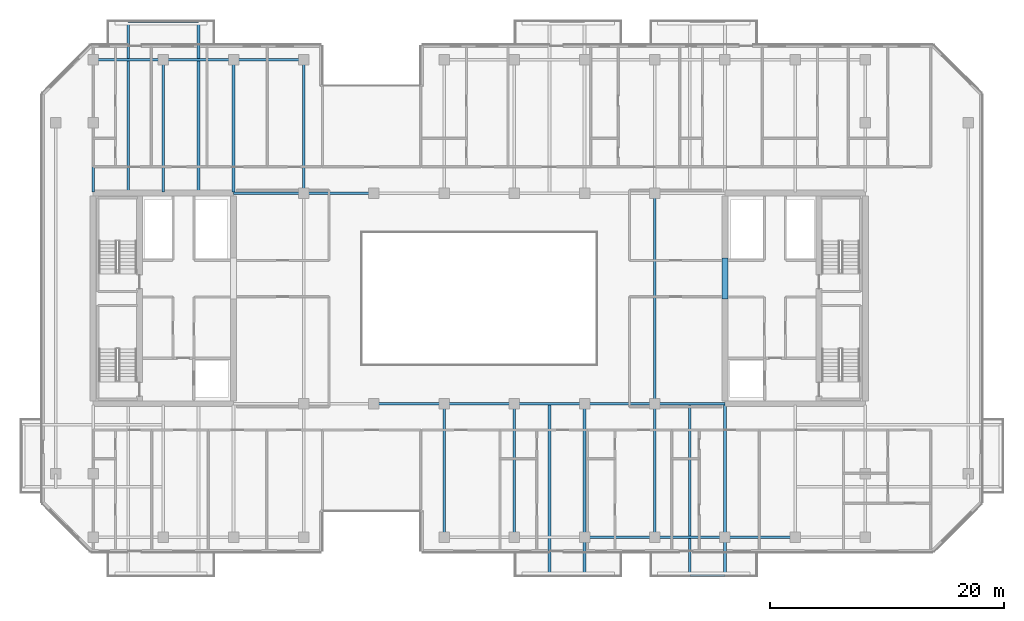
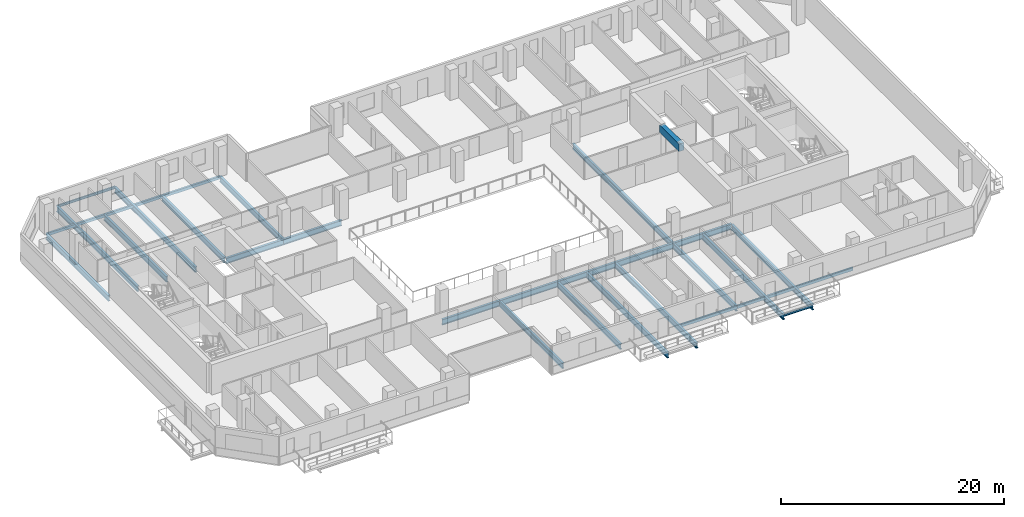
# One storey, part 5 of 19: 30 beams.
"""IFC4 building model written with IfcOpenShell, lengths in metres."""

from ifc_helpers import new_model, si_unit, direction, frame, origin, origin_2d, place, context, subcontext, project, spatial, rectangle, hollow_rectangle, i_section, extrude, material, material_profile, profile_set, type_object, element, save


model = new_model("IFC4")

# Units and contexts
model_context = context("Model", 3, precision=1e-05, world=origin(), true_north=direction((0.0, 1.0)))
body_context = subcontext(model_context, "Body", "Model", "MODEL_VIEW")
ifc_project = project(units=[si_unit("LENGTHUNIT", "METRE"), si_unit("AREAUNIT", "SQUARE_METRE"), si_unit("VOLUMEUNIT", "CUBIC_METRE"), si_unit("PLANEANGLEUNIT", "RADIAN"), si_unit("MASSUNIT", "GRAM", prefix="KILO")], contexts=[model_context])

# Site, building, storey
site_placement = place(None, origin())
site = spatial("IfcSite", under=ifc_project, at=site_placement, CompositionType="ELEMENT")
building_placement = place(site_placement, origin())
building = spatial("IfcBuilding", under=site, at=building_placement, Name="Tanjung Sevakor Pilgrim Tower", CompositionType="ELEMENT")
storey_placement = place(building_placement, frame((0.0, 0.0, 132.0)))
storey = spatial("IfcBuildingStorey", under=building, at=storey_placement, Name="L36", CompositionType="ELEMENT", Elevation=132.0)

# Beams
ifc_material_1 = material(Name="Steel S355J2", Category="steel")
ifc_material_profile_1 = material_profile(ifc_material_1, i_section(OverallWidth=0.230224609375, OverallDepth=0.6171875, WebThickness=0.01318359375, FlangeThickness=0.022216796875, FilletRadius=0.0126953125, at=origin_2d()))
ifc_profile_set_1 = profile_set([ifc_material_profile_1], Name="Steel S355J2")
beam_type_1 = type_object("IfcBeamType", Name="BM-B-G3-UB_610x229x140", PredefinedType="BEAM", material=ifc_profile_set_1)
for number, where, z_axis, x_axis, name in (
    (1, (48.0, 24.60009765625, -0.528564453125), (1.0, 0.0, 0.0), (0.0, 1.0, 0.0), "L36 Primary Floor Girder MAIN Y246-03"),
    (2, (54.0, 24.60009765625, -0.528564453125), (1.0, 0.0, 0.0), (0.0, 1.0, 0.0), "L36 Primary Floor Girder MAIN Y246-04"),
    (3, (60.0, 24.60009765625, -0.528564453125), (1.0, 0.0, 0.0), (0.0, 1.0, 0.0), "L36 Primary Floor Girder MAIN Y246-05"),
    (4, (66.0, 24.60009765625, -0.528564453125), (1.0, 0.0, 0.0), (0.0, 1.0, 0.0), "L36 Primary Floor Girder MAIN Y246-06"),
    (5, (72.0, 24.60009765625, -0.528564453125), (1.0, 0.0, 0.0), (0.0, 1.0, 0.0), "L36 Primary Floor Girder MAIN Y246-07"),
    (6, (36.0, 42.60009765625, -0.528564453125), (1.0, 0.0, 0.0), (0.0, 1.0, 0.0), "L36 Primary Floor Girder MAIN Y426-01"),
    (7, (42.0, 42.60009765625, -0.528564453125), (1.0, 0.0, 0.0), (0.0, 1.0, 0.0), "L36 Primary Floor Girder MAIN Y426-02"),
):
    element("IfcBeam", number, at=place(storey_placement, frame(where, z_axis=z_axis, x_axis=x_axis)), inside=storey, type_object=beam_type_1, Name=name, PredefinedType="BEAM", context=body_context, shape_type="SweptSolid", body=[
        extrude(i_section(OverallWidth=0.230224609375, OverallDepth=0.6171875, WebThickness=0.01318359375, FlangeThickness=0.022216796875, FilletRadius=0.0126953125, at=origin_2d()), origin(), (0.0, 0.0, 1.0), 6.0),
    ])
ifc_material_2 = material(Name="Steel S355J2", Category="steel")
ifc_material_profile_2 = material_profile(ifc_material_2, i_section(OverallWidth=0.22900390625, OverallDepth=0.6123046875, WebThickness=0.011962890625, FlangeThickness=0.01953125, FilletRadius=0.0126953125, at=origin_2d()))
ifc_profile_set_2 = profile_set([ifc_material_profile_2], Name="Steel S355J2")
beam_type_2 = type_object("IfcBeamType", Name="BM-B-G4-UB_610x229x125", PredefinedType="BEAM", material=ifc_profile_set_2)
beam_1_placement = place(storey_placement, frame((24.0, 42.715087890625, -0.526123046875), z_axis=(0.0, 1.0, 0.0), x_axis=(-1.0, 0.0, 0.0)))
element("IfcBeam", 8, at=beam_1_placement, inside=storey, type_object=beam_type_2, Name="L36 MAIN Girder 002", PredefinedType="BEAM", context=body_context, shape_type="SweptSolid", body=[
    extrude(i_section(OverallWidth=0.22900390625, OverallDepth=0.6123046875, WebThickness=0.011962890625, FlangeThickness=0.01953125, FilletRadius=0.0126953125, at=origin_2d()), origin(), (0.0, 0.0, 1.0), 11.284912109375),
])
beam_2_placement = place(storey_placement, frame((27.0, 42.715087890625, -0.526123046875), z_axis=(0.0, 1.0, 0.0), x_axis=(-1.0, 0.0, 0.0)))
element("IfcBeam", 9, at=beam_2_placement, inside=storey, type_object=beam_type_2, Name="L36 Balcony Cantilever Beam MAIN-N1-1", PredefinedType="BEAM", context=body_context, shape_type="SweptSolid", body=[
    extrude(i_section(OverallWidth=0.22900390625, OverallDepth=0.6123046875, WebThickness=0.011962890625, FlangeThickness=0.01953125, FilletRadius=0.0126953125, at=origin_2d()), origin(), (0.0, 0.0, 1.0), 14.56494140625),
])
beam_3_placement = place(storey_placement, frame((30.0, 42.715087890625, -0.526123046875), z_axis=(0.0, 1.0, 0.0), x_axis=(-1.0, 0.0, 0.0)))
element("IfcBeam", 10, at=beam_3_placement, inside=storey, type_object=beam_type_2, Name="L36 MAIN Girder 004", PredefinedType="BEAM", context=body_context, shape_type="SweptSolid", body=[
    extrude(i_section(OverallWidth=0.22900390625, OverallDepth=0.6123046875, WebThickness=0.011962890625, FlangeThickness=0.01953125, FilletRadius=0.0126953125, at=origin_2d()), origin(), (0.0, 0.0, 1.0), 11.284912109375),
])
beam_4_placement = place(storey_placement, frame((33.0, 42.715087890625, -0.526123046875), z_axis=(0.0, 1.0, 0.0), x_axis=(-1.0, 0.0, 0.0)))
element("IfcBeam", 11, at=beam_4_placement, inside=storey, type_object=beam_type_2, Name="L36 Balcony Cantilever Beam MAIN-N1-2", PredefinedType="BEAM", context=body_context, shape_type="SweptSolid", body=[
    extrude(i_section(OverallWidth=0.22900390625, OverallDepth=0.6123046875, WebThickness=0.011962890625, FlangeThickness=0.01953125, FilletRadius=0.0126953125, at=origin_2d()), origin(), (0.0, 0.0, 1.0), 14.56494140625),
])
beam_5_placement = place(storey_placement, frame((36.0, 42.715087890625, -0.526123046875), z_axis=(0.0, 1.0, 0.0), x_axis=(-1.0, 0.0, 0.0)))
element("IfcBeam", 12, at=beam_5_placement, inside=storey, type_object=beam_type_2, Name="L36 MAIN Girder 006", PredefinedType="BEAM", context=body_context, shape_type="SweptSolid", body=[
    extrude(i_section(OverallWidth=0.22900390625, OverallDepth=0.6123046875, WebThickness=0.011962890625, FlangeThickness=0.01953125, FilletRadius=0.0126953125, at=origin_2d()), origin(), (0.0, 0.0, 1.0), 11.284912109375),
])
beam_6_placement = place(storey_placement, frame((42.0, 42.60009765625, -0.526123046875), z_axis=(0.0, 1.0, 0.0), x_axis=(-1.0, 0.0, 0.0)))
element("IfcBeam", 13, at=beam_6_placement, inside=storey, type_object=beam_type_2, Name="L36 MAIN Girder 009", PredefinedType="BEAM", context=body_context, shape_type="SweptSolid", body=[
    extrude(i_section(OverallWidth=0.22900390625, OverallDepth=0.6123046875, WebThickness=0.011962890625, FlangeThickness=0.01953125, FilletRadius=0.0126953125, at=origin_2d()), origin(), (0.0, 0.0, 1.0), 11.39990234375),
])
for number, where, z_axis, x_axis, name in (
    (14, (54.0, 13.199951171875, -0.526123046875), (0.0, 1.0, 0.0), (-1.0, 0.0, 0.0), "L36 MAIN Girder 010"),
    (15, (60.0, 13.199951171875, -0.526123046875), (0.0, 1.0, 0.0), (-1.0, 0.0, 0.0), "L36 MAIN Girder 012"),
):
    element("IfcBeam", number, at=place(storey_placement, frame(where, z_axis=z_axis, x_axis=x_axis)), inside=storey, type_object=beam_type_2, Name=name, PredefinedType="BEAM", context=body_context, shape_type="SweptSolid", body=[
        extrude(i_section(OverallWidth=0.22900390625, OverallDepth=0.6123046875, WebThickness=0.011962890625, FlangeThickness=0.01953125, FilletRadius=0.0126953125, at=origin_2d()), origin(), (0.0, 0.0, 1.0), 11.400146484375),
    ])
beam_7_placement = place(storey_placement, frame((63.0, 24.48486328125, -0.526123046875), z_axis=(0.0, -1.0, 0.0), x_axis=(1.0, 0.0, 0.0)))
element("IfcBeam", 16, at=beam_7_placement, inside=storey, type_object=beam_type_2, Name="L36 Balcony Cantilever Beam MAIN-S2-1", PredefinedType="BEAM", context=body_context, shape_type="SweptSolid", body=[
    extrude(i_section(OverallWidth=0.22900390625, OverallDepth=0.6123046875, WebThickness=0.011962890625, FlangeThickness=0.01953125, FilletRadius=0.0126953125, at=origin_2d()), origin(), (0.0, 0.0, 1.0), 14.56494140625),
])
beam_8_placement = place(storey_placement, frame((66.0, 24.60009765625, -0.526123046875), z_axis=(0.0, -1.0, 0.0), x_axis=(1.0, 0.0, 0.0)))
element("IfcBeam", 17, at=beam_8_placement, inside=storey, type_object=beam_type_2, Name="L36 Balcony Cantilever Beam MAIN-S2-2", PredefinedType="BEAM", context=body_context, shape_type="SweptSolid", body=[
    extrude(i_section(OverallWidth=0.22900390625, OverallDepth=0.6123046875, WebThickness=0.011962890625, FlangeThickness=0.01953125, FilletRadius=0.0126953125, at=origin_2d()), origin(), (0.0, 0.0, 1.0), 14.68017578125),
])
beam_9_placement = place(storey_placement, frame((72.0, 13.199951171875, -0.526123046875), z_axis=(0.0, 1.0, 0.0), x_axis=(-1.0, 0.0, 0.0)))
element("IfcBeam", 18, at=beam_9_placement, inside=storey, type_object=beam_type_2, Name="L36 MAIN Girder 014", PredefinedType="BEAM", context=body_context, shape_type="SweptSolid", body=[
    extrude(i_section(OverallWidth=0.22900390625, OverallDepth=0.6123046875, WebThickness=0.011962890625, FlangeThickness=0.01953125, FilletRadius=0.0126953125, at=origin_2d()), origin(), (0.0, 0.0, 1.0), 11.400146484375),
])
beam_10_placement = place(storey_placement, frame((72.0, 24.60009765625, -0.526123046875), z_axis=(0.0, 1.0, 0.0), x_axis=(-1.0, 0.0, 0.0)))
element("IfcBeam", 19, at=beam_10_placement, inside=storey, type_object=beam_type_2, Name="L36 MAIN Girder 015", PredefinedType="BEAM", context=body_context, shape_type="SweptSolid", body=[
    extrude(i_section(OverallWidth=0.22900390625, OverallDepth=0.6123046875, WebThickness=0.011962890625, FlangeThickness=0.01953125, FilletRadius=0.0126953125, at=origin_2d()), origin(), (0.0, 0.0, 1.0), 18.0),
])
for number, where, z_axis, x_axis, name in (
    (20, (75.0, 24.48486328125, -0.526123046875), (0.0, -1.0, 0.0), (1.0, 0.0, 0.0), "L36 Balcony Cantilever Beam MAIN-S3-1"),
    (21, (78.0, 24.48486328125, -0.526123046875), (0.0, -1.0, 0.0), (1.0, 0.0, 0.0), "L36 Balcony Cantilever Beam MAIN-S3-2"),
):
    element("IfcBeam", number, at=place(storey_placement, frame(where, z_axis=z_axis, x_axis=x_axis)), inside=storey, type_object=beam_type_2, Name=name, PredefinedType="BEAM", context=body_context, shape_type="SweptSolid", body=[
        extrude(i_section(OverallWidth=0.22900390625, OverallDepth=0.6123046875, WebThickness=0.011962890625, FlangeThickness=0.01953125, FilletRadius=0.0126953125, at=origin_2d()), origin(), (0.0, 0.0, 1.0), 14.56494140625),
    ])
ifc_material_3 = material(Name="Steel S355J2", Category="steel")
ifc_material_profile_3 = material_profile(ifc_material_3, i_section(OverallWidth=0.146484375, OverallDepth=0.256103515625, WebThickness=0.00634765625, FlangeThickness=0.010986328125, FilletRadius=0.007568359375, at=origin_2d()))
ifc_profile_set_3 = profile_set([ifc_material_profile_3], Name="Steel S355J2")
beam_type_3 = type_object("IfcBeamType", Name="BM-B-J6-UB_254x146x37", PredefinedType="JOIST", material=ifc_profile_set_3)
beam_11_placement = place(storey_placement, frame((27.0, 57.280029296875, -0.327880859375), z_axis=(1.0, 0.0, 0.0), x_axis=(0.0, 1.0, 0.0)))
element("IfcBeam", 22, at=beam_11_placement, inside=storey, type_object=beam_type_3, Name="L36 Balcony Rim Tie MAIN-N1", PredefinedType="JOIST", context=body_context, shape_type="SweptSolid", body=[
    extrude(i_section(OverallWidth=0.146484375, OverallDepth=0.256103515625, WebThickness=0.00634765625, FlangeThickness=0.010986328125, FilletRadius=0.007568359375, at=origin_2d()), origin(), (0.0, 0.0, 1.0), 6.0),
])
beam_12_placement = place(storey_placement, frame((75.0, 9.919921875, -0.327880859375), z_axis=(1.0, 0.0, 0.0), x_axis=(0.0, 1.0, 0.0)))
element("IfcBeam", 23, at=beam_12_placement, inside=storey, type_object=beam_type_3, Name="L36 Balcony Rim Tie MAIN-S3", PredefinedType="JOIST", context=body_context, shape_type="SweptSolid", body=[
    extrude(i_section(OverallWidth=0.146484375, OverallDepth=0.256103515625, WebThickness=0.00634765625, FlangeThickness=0.010986328125, FilletRadius=0.007568359375, at=origin_2d()), origin(), (0.0, 0.0, 1.0), 3.0),
])
ifc_material_4 = material(Name="Concrete C60/75", Category="concrete")
ifc_material_profile_4 = material_profile(ifc_material_4, rectangle(XDim=0.5, YDim=0.800048828125, at=origin_2d()))
ifc_profile_set_4 = profile_set([ifc_material_profile_4], Name="Concrete C60/75")
beam_type_4 = type_object("IfcBeamType", Name="BM-B-LN2-RC-BM_500x800", PredefinedType="LINTEL", material=ifc_profile_set_4)
beam_13_placement = place(storey_placement, frame((78.0, 33.550048828125, 2.679931640625), z_axis=(0.0, 1.0, 0.0), x_axis=(-1.0, 0.0, 0.0)))
element("IfcBeam", 24, at=beam_13_placement, inside=storey, type_object=beam_type_4, Name="L36 E Core Coupling Lintel", PredefinedType="LINTEL", context=body_context, shape_type="SweptSolid", body=[
    extrude(rectangle(XDim=0.5, YDim=0.800048828125, at=origin_2d()), origin(), (0.0, 0.0, 1.0), 3.5),
])
ifc_material_5 = material(Name="Steel S355J2", Category="steel")
ifc_material_profile_5 = material_profile(ifc_material_5, hollow_rectangle(XDim=0.199951171875, YDim=0.300048828125, WallThickness=0.012451171875, at=origin_2d()))
ifc_profile_set_5 = profile_set([ifc_material_profile_5], Name="Steel S355J2")
beam_type_5 = type_object("IfcBeamType", Name="BM-B-SP3-RHS_300x200x12.5", PredefinedType="SPANDREL", material=ifc_profile_set_5)
for number, where, z_axis, x_axis, name in (
    (25, (24.0, 54.0, -0.3701171875), (1.0, 0.0, 0.0), (0.0, 1.0, 0.0), "L36 Spandrel MAIN N-02"),
    (26, (30.0, 54.0, -0.3701171875), (1.0, 0.0, 0.0), (0.0, 1.0, 0.0), "L36 Spandrel MAIN N-04"),
    (27, (36.0, 54.0, -0.3701171875), (1.0, 0.0, 0.0), (0.0, 1.0, 0.0), "L36 Spandrel MAIN N-06"),
    (28, (66.0, 13.199951171875, -0.3701171875), (1.0, 0.0, 0.0), (0.0, 1.0, 0.0), "L36 Spandrel MAIN S-11"),
    (29, (72.0, 13.199951171875, -0.3701171875), (1.0, 0.0, 0.0), (0.0, 1.0, 0.0), "L36 Spandrel MAIN S-13"),
    (30, (78.0, 13.199951171875, -0.3701171875), (1.0, 0.0, 0.0), (0.0, 1.0, 0.0), "L36 Spandrel MAIN S-15"),
):
    element("IfcBeam", number, at=place(storey_placement, frame(where, z_axis=z_axis, x_axis=x_axis)), inside=storey, type_object=beam_type_5, Name=name, PredefinedType="SPANDREL", context=body_context, shape_type="SweptSolid", body=[
        extrude(hollow_rectangle(XDim=0.199951171875, YDim=0.300048828125, WallThickness=0.012451171875, at=origin_2d()), origin(), (0.0, 0.0, 1.0), 6.0),
    ])

save(model, "model.ifc")
